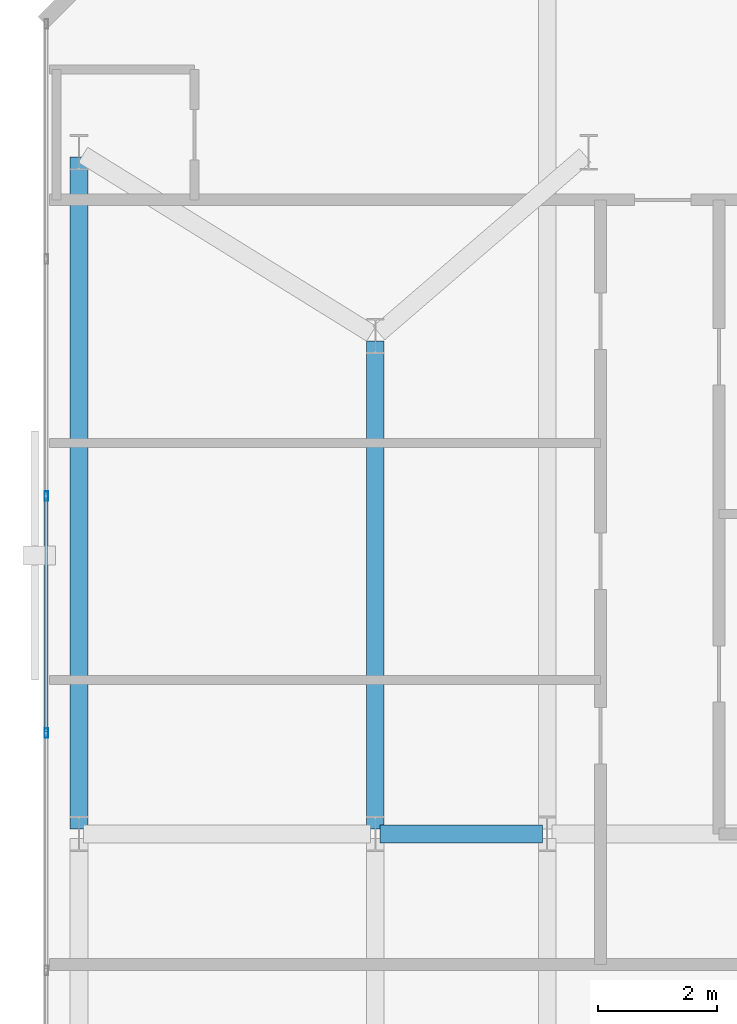
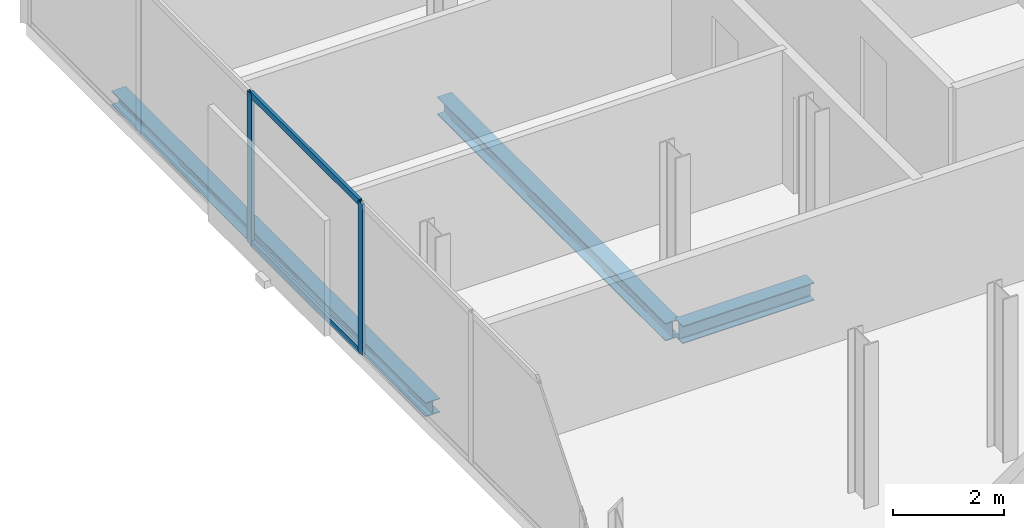
# One storey, part 11 of 32: 4 members, 3 beams, 1 element without a shape of its own.
"""IFC4 building model written with IfcOpenShell, lengths in metres."""

from ifc_helpers import new_model, si_unit, direction, frame, origin, origin_2d, place, context, subcontext, project, spatial, hollow_rectangle, i_section, extrude, material, layer, layer_set, material_profile, profile_set, type_object, element, aggregate, save


model = new_model("IFC4")

# Units and contexts
model_context = context("Model", 3, precision=1e-05, world=origin(), true_north=direction((0.0, 1.0)))
body_context = subcontext(model_context, "Body", "Model", "MODEL_VIEW")
ifc_project = project(units=[si_unit("LENGTHUNIT", "METRE"), si_unit("AREAUNIT", "SQUARE_METRE"), si_unit("VOLUMEUNIT", "CUBIC_METRE"), si_unit("PLANEANGLEUNIT", "RADIAN"), si_unit("MASSUNIT", "GRAM", prefix="KILO")], contexts=[model_context])

# Site, building, storey
site_placement = place(None, origin())
site = spatial("IfcSite", under=ifc_project, at=site_placement, CompositionType="ELEMENT")
building_placement = place(site_placement, origin())
building = spatial("IfcBuilding", under=site, at=building_placement, Name="Catumbela Crestline Tower", CompositionType="ELEMENT")
storey_placement = place(building_placement, frame((0.0, 0.0, 136.8)))
storey = spatial("IfcBuildingStorey", under=building, at=storey_placement, Name="L35", CompositionType="ELEMENT", Elevation=136.8)

# Beams
ifc_material_1 = material(Name="Structural steel S355J2", Category="steel")
ifc_material_profile_1 = material_profile(ifc_material_1, i_section(OverallWidth=0.3, OverallDepth=0.39, WebThickness=0.011, FlangeThickness=0.019, FilletRadius=0.027, at=origin_2d()), Name="HEA 400")
ifc_profile_set_1 = profile_set([ifc_material_profile_1], Name="Structural steel S355J2")
beam_type_1 = type_object("IfcBeamType", Name="BG-HEA400", PredefinedType="BEAM", material=ifc_profile_set_1)
beam_1_placement = place(storey_placement, frame((5.68, 30.8, -0.455), z_axis=(1.0, 0.0, 0.0), x_axis=(0.0, 1.0, 0.0)))
element("IfcBeam", 1, at=beam_1_placement, inside=storey, type_object=beam_type_1, Name="L35 Beam BM-L35-M08", PredefinedType="BEAM", context=body_context, shape_type="SweptSolid", body=[
    extrude(i_section(OverallWidth=0.3, OverallDepth=0.39, WebThickness=0.011, FlangeThickness=0.019, FilletRadius=0.027, at=origin_2d()), origin(), (0.0, 0.0, 1.0), 2.74),
])
beam_2_placement = place(storey_placement, frame((5.6, 30.88, -0.455), z_axis=(0.0, 1.0, 0.0), x_axis=(-1.0, 0.0, 0.0)))
element("IfcBeam", 2, at=beam_2_placement, inside=storey, type_object=beam_type_1, Name="L35 Beam BM-L35-SN25", PredefinedType="BEAM", context=body_context, shape_type="SweptSolid", body=[
    extrude(i_section(OverallWidth=0.3, OverallDepth=0.39, WebThickness=0.011, FlangeThickness=0.019, FilletRadius=0.027, at=origin_2d()), origin(), (0.0, 0.0, 1.0), 8.24),
])

# Curtain wall, members
ifc_material_2 = material(Name="Aluminium alloy AW-6060-T66", Category="aluminium")
ifc_layer = layer(ifc_material_2, 0.18, Name="Aluminium alloy AW-6060-T66")
ifc_layer_set = layer_set([ifc_layer], Name="Aluminium alloy AW-6060-T66")
curtain_wall_type = type_object("IfcCurtainWallType", Name="CWU-Z2", PredefinedType="USERDEFINED", material=ifc_layer_set)
curtain_wall_placement = place(storey_placement, origin())
curtain_wall = element("IfcCurtainWall", 3, at=curtain_wall_placement, inside=storey, type_object=curtain_wall_type, Name="L35 Unitised Curtain Wall CW-L35-E9S1", ObjectType="UNITISED", PredefinedType="USERDEFINED")
ifc_material_profile_2 = material_profile(ifc_material_2, hollow_rectangle(XDim=0.06, YDim=0.16, WallThickness=0.004, at=origin_2d()), Name="ALU 160x60x4")
ifc_profile_set_2 = profile_set([ifc_material_profile_2], Name="Aluminium alloy AW-6060-T66")
member_type_1 = type_object("IfcMemberType", Name="MUL-160X60", PredefinedType="MULLION", material=ifc_profile_set_2)
member_1_placement = place(storey_placement, frame((0.05, 36.5, 0.0), z_axis=(0.0, 0.0, 1.0), x_axis=(1.0, 0.0, 0.0)))
member_1 = element("IfcMember", 4, at=member_1_placement, type_object=member_type_1, Name="CWU-Z2 mullion 3", PredefinedType="MULLION", context=body_context, shape_type="SweptSolid", body=[
    extrude(hollow_rectangle(XDim=0.06, YDim=0.16, WallThickness=0.004, at=origin_2d()), origin(), (0.0, 0.0, 1.0), 3.33),
])
member_2_placement = place(storey_placement, frame((0.05, 32.5, 0.0), z_axis=(0.0, 0.0, 1.0), x_axis=(1.0, 0.0, 0.0)))
member_2 = element("IfcMember", 5, at=member_2_placement, type_object=member_type_1, Name="CWU-Z2 mullion 4", PredefinedType="MULLION", context=body_context, shape_type="SweptSolid", body=[
    extrude(hollow_rectangle(XDim=0.06, YDim=0.16, WallThickness=0.004, at=origin_2d()), origin(), (0.0, 0.0, 1.0), 3.33),
])

# Beam
ifc_material_profile_3 = material_profile(ifc_material_1, i_section(OverallWidth=0.3, OverallDepth=0.31, WebThickness=0.009, FlangeThickness=0.0155, FilletRadius=0.027, at=origin_2d()), Name="HEA 320")
ifc_profile_set_3 = profile_set([ifc_material_profile_3], Name="Structural steel S355J2")
beam_type_2 = type_object("IfcBeamType", Name="BS-HEA320", PredefinedType="SPANDREL", material=ifc_profile_set_3)
beam_3_placement = place(storey_placement, frame((0.6, 30.88, -0.415), z_axis=(0.0, 1.0, 0.0), x_axis=(-1.0, 0.0, 0.0)))
element("IfcBeam", 6, at=beam_3_placement, inside=storey, type_object=beam_type_2, Name="L35 Spandrel SP-L35-SN23", PredefinedType="SPANDREL", context=body_context, shape_type="SweptSolid", body=[
    extrude(i_section(OverallWidth=0.3, OverallDepth=0.31, WebThickness=0.009, FlangeThickness=0.0155, FilletRadius=0.027, at=origin_2d()), origin(), (0.0, 0.0, 1.0), 11.34),
])

# Member
ifc_material_profile_4 = material_profile(ifc_material_2, hollow_rectangle(XDim=0.06, YDim=0.14, WallThickness=0.004, at=origin_2d()), Name="ALU 140x60x4")
ifc_profile_set_4 = profile_set([ifc_material_profile_4], Name="Aluminium alloy AW-6060-T66")
member_type_2 = type_object("IfcMemberType", Name="TRN-140X60", PredefinedType="USERDEFINED", material=ifc_profile_set_4)
member_3_placement = place(storey_placement, frame((0.05, 36.4675, 0.03), z_axis=(0.0, -1.0, 0.0), x_axis=(1.0, 0.0, 0.0)))
member_3 = element("IfcMember", 7, at=member_3_placement, type_object=member_type_2, Name="CWU-Z2 transom 3.1", ObjectType="TRANSOM", PredefinedType="USERDEFINED", context=body_context, shape_type="SweptSolid", body=[
    extrude(hollow_rectangle(XDim=0.06, YDim=0.14, WallThickness=0.004, at=origin_2d()), origin(), (0.0, 0.0, 1.0), 3.935),
])

member_4_placement = place(storey_placement, frame((0.05, 36.4675, 3.3), z_axis=(0.0, -1.0, 0.0), x_axis=(1.0, 0.0, 0.0)))
member_4 = element("IfcMember", 8, at=member_4_placement, type_object=member_type_2, Name="CWU-Z2 transom 3.2", ObjectType="TRANSOM", PredefinedType="USERDEFINED", context=body_context, shape_type="SweptSolid", body=[
    extrude(hollow_rectangle(XDim=0.06, YDim=0.14, WallThickness=0.004, at=origin_2d()), origin(), (0.0, 0.0, 1.0), 3.935),
])

aggregate(curtain_wall, [member_1, member_2, member_3, member_4])

save(model, "model.ifc")
